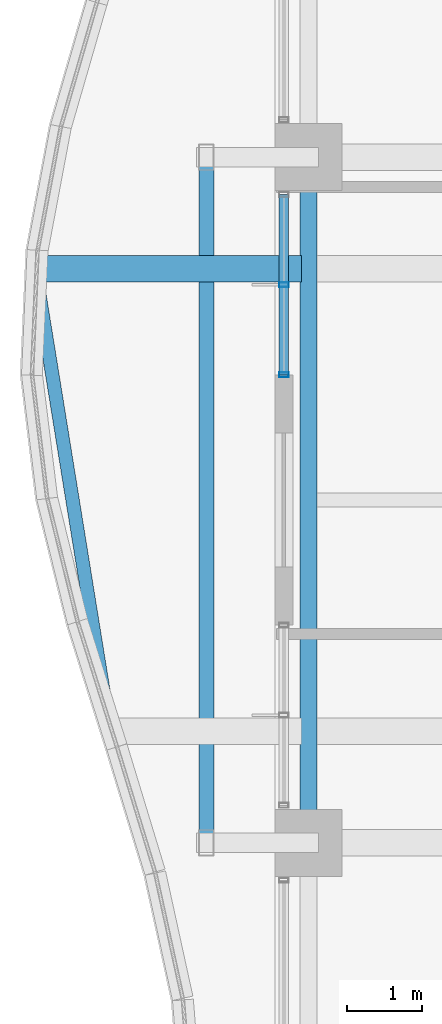
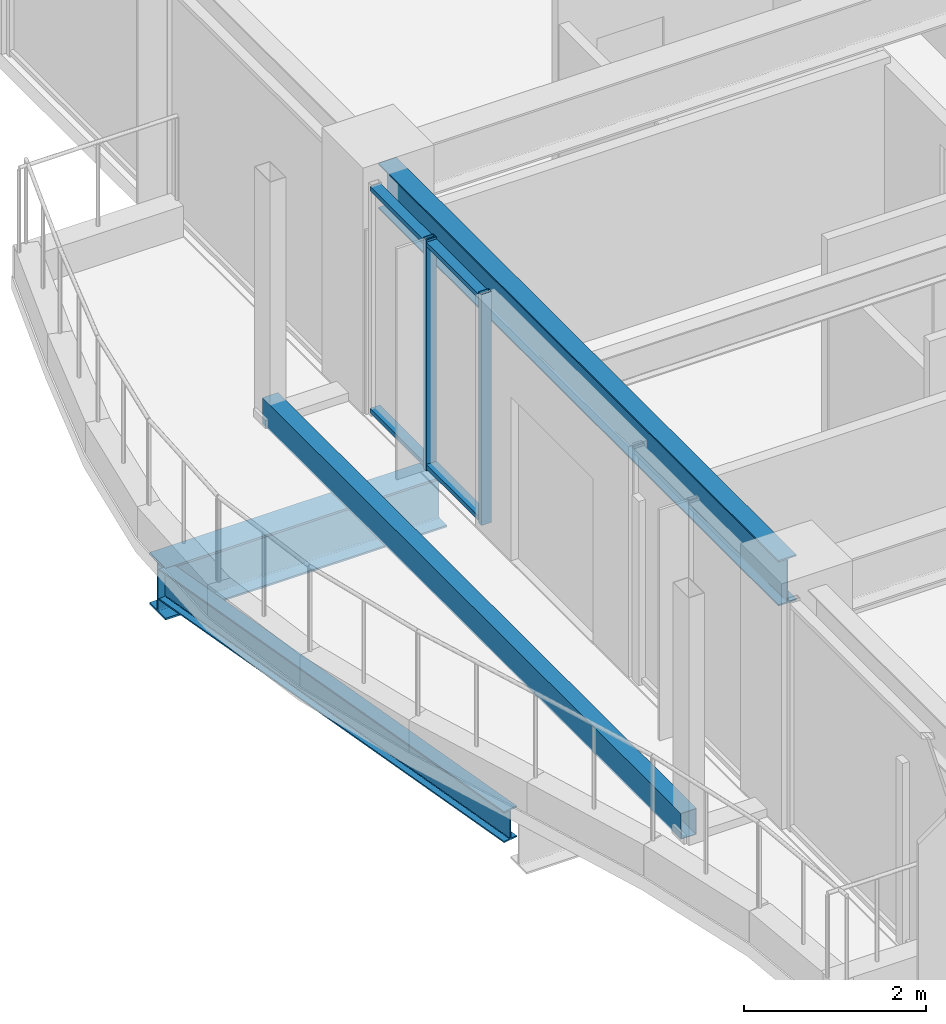
# One storey, part 10 of 37: 5 members, 3 beams, 1 element without a shape of its own.
"""IFC4 building model written with IfcOpenShell, lengths in metres."""

import ifcopenshell
import ifcopenshell.guid

model = None  # the IFC model being written
_history = None  # IfcOwnerHistory: only IFC2X3 demands one
_inside = {}  # id of a spatial element -> (the spatial element, [elements in it])
_under = {}  # id of a project, library or spatial element -> (it, [spatial elements below it])
_declared = {}  # id of a project -> (the project, [libraries it declares])
_typed = {}  # id of a type object -> (the type object, [elements of that type])
_made_of = {}  # id of a material, layer set ... -> (it, [elements and type objects made of it])


def new_model(schema):
    """Start an empty IFC model of exactly this schema.

    Asked for "IFC4X3", IfcOpenShell would pick the latest addendum, in which some entities
    have other attributes; the version numbers below select the first issue.
    IFC2X3 requires an IfcOwnerHistory on every rooted entity: one is made here for all.
    """
    global model, _history
    if schema == "IFC4X3":
        model = ifcopenshell.file(schema_version=(4, 3, 0, 0))
    else:
        model = ifcopenshell.file(schema=schema)
    _inside.clear()
    _under.clear()
    _declared.clear()
    _typed.clear()
    _made_of.clear()
    _history = None
    if model.schema == "IFC2X3":
        org = make("IfcOrganization", Name="unknown")
        user = make(
            "IfcPersonAndOrganization",
            ThePerson=make("IfcPerson", FamilyName="unknown"),
            TheOrganization=org,
        )
        app = make(
            "IfcApplication",
            ApplicationDeveloper=org,
            Version="unknown",
            ApplicationFullName="unknown",
            ApplicationIdentifier="unknown",
        )
        _history = make(
            "IfcOwnerHistory",
            OwningUser=user,
            OwningApplication=app,
            ChangeAction="ADDED",
            CreationDate=0,
        )
    return model


def make(cls, **values):
    """One entity of the class cls with the attributes given. An attribute that is None is left unset."""
    return model.create_entity(
        cls, **{name: value for name, value in values.items() if value is not None}
    )


def rooted(cls, **values):
    """An entity with a GlobalId (a new one), such as an element, a storey or a relation."""
    return make(cls, GlobalId=ifcopenshell.guid.new(), OwnerHistory=_history, **values)


def si_unit(unit_type, name, prefix=None):
    """IfcSIUnit, for example si_unit("LENGTHUNIT", "METRE", prefix="MILLI")."""
    return make("IfcSIUnit", UnitType=unit_type, Prefix=prefix, Name=name)


def assignment(units):
    """IfcUnitAssignment: the units of a project."""
    return None if units is None else make("IfcUnitAssignment", Units=units)


def point(xyz):
    """IfcCartesianPoint."""
    return None if xyz is None else make("IfcCartesianPoint", Coordinates=xyz)


def direction(xyz):
    """IfcDirection."""
    return None if xyz is None else make("IfcDirection", DirectionRatios=xyz)


def frame(location, z_axis=None, x_axis=None):
    """IfcAxis2Placement3D, a coordinate frame: its origin and axes. An axis left out is left unset."""
    return make(
        "IfcAxis2Placement3D",
        Location=point(location),
        Axis=direction(z_axis),
        RefDirection=direction(x_axis),
    )


def frame_2d(location, x_axis=None):
    """IfcAxis2Placement2D, a coordinate frame in the plane: its origin and x axis."""
    return make(
        "IfcAxis2Placement2D", Location=point(location), RefDirection=direction(x_axis)
    )


def origin():
    """The frame at (0, 0, 0) with its axes left unset."""
    return frame((0.0, 0.0, 0.0))


def origin_2d():
    """The frame at (0, 0) in the plane with its x axis left unset."""
    return frame_2d((0.0, 0.0))


def place(relative_to, where):
    """IfcLocalPlacement: puts the frame where relative to a parent placement (None: the world)."""
    return make(
        "IfcLocalPlacement", PlacementRelTo=relative_to, RelativePlacement=where
    )


def context(
    kind, dimensions, precision=None, world=None, true_north=None, identifier=None
):
    """IfcGeometricRepresentationContext, for example the 3D "Model" context."""
    return make(
        "IfcGeometricRepresentationContext",
        ContextIdentifier=identifier,
        ContextType=kind,
        CoordinateSpaceDimension=dimensions,
        Precision=precision,
        WorldCoordinateSystem=world,
        TrueNorth=true_north,
    )


def subcontext(parent, identifier, kind, view, scale=None):
    """IfcGeometricRepresentationSubContext, for example "Body" below "Model"."""
    return make(
        "IfcGeometricRepresentationSubContext",
        ContextIdentifier=identifier,
        ContextType=kind,
        ParentContext=parent,
        TargetScale=scale,
        TargetView=view,
    )


def project(units=None, contexts=None):
    """IfcProject with its units and contexts."""
    return rooted(
        "IfcProject",
        Name="project",
        RepresentationContexts=contexts,
        UnitsInContext=assignment(units),
    )


def spatial(cls, under=None, at=None, **own):
    """A site, building, storey or space (cls), placed at a placement, below another one or the project."""
    s = rooted(cls, ObjectPlacement=at, **own)
    if under is not None:
        _under.setdefault(under.id(), (under, []))[1].append(s)
    return s


def profile(cls, at=None, kind="AREA", **sizes):
    """A parametric profile (cls). Its sizes go by their IFC names, for example OverallWidth=200.0."""
    return make(cls, ProfileType=kind, Position=at, **sizes)


def hollow_rectangle(**sizes):
    """IfcRectangleHollowProfileDef."""
    return profile("IfcRectangleHollowProfileDef", **sizes)


def i_section(**sizes):
    """IfcIShapeProfileDef."""
    return profile("IfcIShapeProfileDef", **sizes)


def extrude(swept, where, along, depth):
    """IfcExtrudedAreaSolid: the profile swept, set in the frame where, extruded along a direction by depth."""
    return make(
        "IfcExtrudedAreaSolid",
        SweptArea=swept,
        Position=where,
        ExtrudedDirection=direction(along),
        Depth=depth,
    )


def shape(context_of_items, identifier, shape_type, items):
    """IfcShapeRepresentation: the items that make up one representation, for example the "Body"."""
    return make(
        "IfcShapeRepresentation",
        ContextOfItems=context_of_items,
        RepresentationIdentifier=identifier,
        RepresentationType=shape_type,
        Items=items,
    )


def material(Name=None, Category=None):
    """IfcMaterial."""
    return make("IfcMaterial", Name=Name, Category=Category)


def material_profile(
    of_material, cross_section, Name=None, Category=None, Priority=None
):
    """IfcMaterialProfile: a cross section and its material."""
    return make(
        "IfcMaterialProfile",
        Name=Name,
        Material=of_material,
        Profile=cross_section,
        Priority=Priority,
        Category=Category,
    )


def profile_set(profiles, Name=None, composite=None):
    """IfcMaterialProfileSet."""
    return make(
        "IfcMaterialProfileSet",
        Name=Name,
        MaterialProfiles=profiles,
        CompositeProfile=composite,
    )


def made_of(thing, what):
    """Note that an element or type object is made of a material, layer set ...; save() writes the relation."""
    if what is not None:
        _made_of.setdefault(what.id(), (what, []))[1].append(thing)
    return thing


def type_object(cls, material=None, **own):
    """A type object (cls), such as IfcWallType, which elements share."""
    return made_of(rooted(cls, **own), material)


def element(
    cls,
    number,
    at=None,
    inside=None,
    cuts=None,
    type_object=None,
    material=None,
    context=None,
    identifier="Body",
    shape_type=None,
    held_by="IfcProductDefinitionShape",
    body=None,
    shapes=None,
    **own,
):
    """One element of the class cls, such as IfcWall. Its Tag is "e" and its number.

    at: its placement. inside: the storey or other place that contains it. cuts: it is an
    opening in that element (IfcRelVoidsElement). A single representation is given by context,
    identifier, shape_type and body (its items); several are given by shapes. held_by: the class
    of the entity that holds the representations. save() writes the other relations.
    """
    e = rooted(cls, Tag="e%d" % number, ObjectPlacement=at, **own)
    if body is not None:
        shapes = [shape(context, identifier, shape_type, body)]
    if shapes is not None:
        e.Representation = make(held_by, Representations=shapes)
    if inside is not None:
        _inside.setdefault(inside.id(), (inside, []))[1].append(e)
    if cuts is not None:
        rooted(
            "IfcRelVoidsElement", RelatingBuildingElement=cuts, RelatedOpeningElement=e
        )
    if type_object is not None:
        _typed.setdefault(type_object.id(), (type_object, []))[1].append(e)
    return made_of(e, material)


def aggregate(whole, parts):
    """IfcRelAggregates: a whole, such as a stair, and the parts it consists of."""
    return rooted("IfcRelAggregates", RelatingObject=whole, RelatedObjects=parts)


def save(model, path):
    """Write the relations noted so far, then the file.

    IfcRelAggregates (storeys below a building ...), IfcRelContainedInSpatialStructure (elements
    in a storey), IfcRelDefinesByType, IfcRelAssociatesMaterial and IfcRelDeclares: one each for
    every whole, place, type object, material and project.
    """
    for whole, parts in _under.values():
        aggregate(whole, parts)
    for where, things in _inside.values():
        rooted(
            "IfcRelContainedInSpatialStructure",
            RelatedElements=things,
            RelatingStructure=where,
        )
    for kind, things in _typed.values():
        rooted("IfcRelDefinesByType", RelatedObjects=things, RelatingType=kind)
    for what, things in _made_of.values():
        rooted("IfcRelAssociatesMaterial", RelatedObjects=things, RelatingMaterial=what)
    for by, libraries in _declared.values():
        rooted("IfcRelDeclares", RelatingContext=by, RelatedDefinitions=libraries)
    model.write(path)


model = new_model("IFC4")

# Units and contexts
model_context = context("Model", 3, precision=1e-05, world=origin(), true_north=direction((0.0, 1.0)))
body_context = subcontext(model_context, "Body", "Model", "MODEL_VIEW")
ifc_project = project(units=[si_unit("LENGTHUNIT", "METRE"), si_unit("AREAUNIT", "SQUARE_METRE"), si_unit("VOLUMEUNIT", "CUBIC_METRE"), si_unit("PLANEANGLEUNIT", "RADIAN"), si_unit("MASSUNIT", "GRAM", prefix="KILO")], contexts=[model_context])

# Site, building, storey
site_placement = place(None, origin())
site = spatial("IfcSite", under=ifc_project, at=site_placement, CompositionType="ELEMENT")
building_placement = place(site_placement, origin())
building = spatial("IfcBuilding", under=site, at=building_placement, Name="Kolvaren Belvedere", CompositionType="ELEMENT")
storey_placement = place(building_placement, frame((0.0, 0.0, 156.89990234375)))
storey = spatial("IfcBuildingStorey", under=building, at=storey_placement, Name="L45", CompositionType="ELEMENT", Elevation=156.89990234375)

# Beams
ifc_material_1 = material(Name="Structural steel ASTM A992 Grade 50", Category="steel")
ifc_material_profile_1 = material_profile(ifc_material_1, i_section(OverallWidth=0.35498046875, OverallDepth=0.696044921875, WebThickness=0.015380859375, FlangeThickness=0.02490234375, FilletRadius=0.02197265625, at=origin_2d()), Name="W27X146")
ifc_profile_set_1 = profile_set([ifc_material_profile_1], Name="Structural steel ASTM A992 Grade 50")
beam_type_1 = type_object("IfcBeamType", Name="BM-CANT-BAL", PredefinedType="BEAM", material=ifc_profile_set_1)
beam_1_placement = place(storey_placement, frame((-18.7451171875, 3.10009765625, -0.5478515625), z_axis=(-1.0, 0.0, 0.0), x_axis=(0.0, -1.0, 0.0)))
element("IfcBeam", 1, at=beam_1_placement, inside=storey, type_object=beam_type_1, Name="L45 Planted Balcony Cantilever BAL-W-2", PredefinedType="BEAM", context=body_context, shape_type="SweptSolid", body=[
    extrude(i_section(OverallWidth=0.35498046875, OverallDepth=0.696044921875, WebThickness=0.015380859375, FlangeThickness=0.02490234375, FilletRadius=0.02197265625, at=origin_2d()), origin(), (0.0, 0.0, 1.0), 3.57080078125),
])
ifc_material_2 = material(Name="Structural steel ASTM A992 Grade 50", Category="steel")
ifc_material_profile_2 = material_profile(ifc_material_2, i_section(OverallWidth=0.180908203125, OverallDepth=0.4169921875, WebThickness=0.010986328125, FlangeThickness=0.018310546875, FilletRadius=0.013916015625, at=origin_2d()), Name="W16X57")
ifc_profile_set_2 = profile_set([ifc_material_profile_2], Name="Structural steel ASTM A992 Grade 50")
beam_type_2 = type_object("IfcBeamType", Name="BM-EDGE-W16X57", PredefinedType="BEAM", material=ifc_profile_set_2)
beam_2_placement = place(storey_placement, frame((-21.336181640625, -2.9619140625, -0.408447265625), z_axis=(-0.159567567211, 0.987187009383, 0.0), x_axis=(-0.987187009383, -0.159567567211, 0.0)))
element("IfcBeam", 2, at=beam_2_placement, inside=storey, type_object=beam_type_2, Name="L45 Balcony Tip Header Beam BAL-W", PredefinedType="BEAM", context=body_context, shape_type="SweptSolid", body=[
    extrude(i_section(OverallWidth=0.180908203125, OverallDepth=0.4169921875, WebThickness=0.010986328125, FlangeThickness=0.018310546875, FilletRadius=0.013916015625, at=origin_2d()), origin(), (0.0, 0.0, 1.0), 6.000732421875),
])
ifc_material_3 = material(Name="Structural steel ASTM A992 Grade 50", Category="steel")
ifc_material_profile_3 = material_profile(ifc_material_3, i_section(OverallWidth=0.22900390625, OverallDepth=0.612060546875, WebThickness=0.011962890625, FlangeThickness=0.01953125, FilletRadius=0.01806640625, at=origin_2d()), Name="W24X84")
ifc_profile_set_3 = profile_set([ifc_material_profile_3], Name="Structural steel ASTM A992 Grade 50")
beam_type_3 = type_object("IfcBeamType", Name="BM-SPAN-W24X84", PredefinedType="SPANDREL", material=ifc_profile_set_3)
beam_3_placement = place(storey_placement, frame((-18.64990234375, 4.3974609375, 2.794189453125), z_axis=(0.0, -1.0, 0.0), x_axis=(1.0, 0.0, 0.0)))
element("IfcBeam", 3, at=beam_3_placement, inside=storey, type_object=beam_type_3, Name="L45 Perimeter Spandrel W3-W2", PredefinedType="SPANDREL", context=body_context, shape_type="SweptSolid", body=[
    extrude(i_section(OverallWidth=0.22900390625, OverallDepth=0.612060546875, WebThickness=0.011962890625, FlangeThickness=0.01953125, FilletRadius=0.01806640625, at=origin_2d()), origin(), (0.0, 0.0, 1.0), 8.794921875),
])

# Curtain wall, members
ifc_material_4 = material(Name="Anodised pale-metal aluminium AA 6063-T6", Category="aluminium")
curtain_wall_type = type_object("IfcCurtainWallType", Name="CW-Z3-WAIST", PredefinedType="NOTDEFINED", material=ifc_material_4)
curtain_wall_placement = place(storey_placement, origin())
curtain_wall = element("IfcCurtainWall", 4, at=curtain_wall_placement, inside=storey, type_object=curtain_wall_type, Name="L45 Unitised Curtain Wall FCW-L45-W2-B1", PredefinedType="NOTDEFINED")
ifc_material_5 = material(Name="Anodised pale-metal aluminium AA 6063-T6", Category="aluminium")
ifc_material_profile_4 = material_profile(ifc_material_5, hollow_rectangle(XDim=0.06494140625, YDim=0.1298828125, WallThickness=0.00390625, at=origin_2d()), Name="ALU-MUL-130X65")
ifc_profile_set_4 = profile_set([ifc_material_profile_4], Name="Anodised pale-metal aluminium AA 6063-T6")
member_type_1 = type_object("IfcMemberType", Name="CW-MUL-130", PredefinedType="MULLION", material=ifc_profile_set_4)
member_1_placement = place(storey_placement, frame((-18.97998046875, 1.679931640625, 0.0), z_axis=(0.0, 0.0, 1.0), x_axis=(0.0, 1.0, 0.0)))
member_1 = element("IfcMember", 5, at=member_1_placement, type_object=member_type_1, Name="FCW-L45-W2-B1 Unitised Mullion 1", PredefinedType="MULLION", context=body_context, shape_type="SweptSolid", body=[
    extrude(hollow_rectangle(XDim=0.06494140625, YDim=0.1298828125, WallThickness=0.00390625, at=origin_2d()), origin(), (0.0, 0.0, 1.0), 3.10009765625),
])
member_2_placement = place(storey_placement, frame((-18.97998046875, 2.888671875, 0.0), z_axis=(0.0, 0.0, 1.0), x_axis=(0.0, 1.0, 0.0)))
member_2 = element("IfcMember", 6, at=member_2_placement, type_object=member_type_1, Name="FCW-L45-W2-B1 Unitised Mullion 2", PredefinedType="MULLION", context=body_context, shape_type="SweptSolid", body=[
    extrude(hollow_rectangle(XDim=0.06494140625, YDim=0.1298828125, WallThickness=0.00390625, at=origin_2d()), origin(), (0.0, 0.0, 1.0), 3.10009765625),
])
ifc_material_6 = material(Name="Anodised pale-metal aluminium AA 6063-T6", Category="aluminium")
ifc_material_profile_5 = material_profile(ifc_material_6, hollow_rectangle(XDim=0.06005859375, YDim=0.1298828125, WallThickness=0.00390625, at=origin_2d()), Name="ALU-TRN-130X60")
ifc_profile_set_5 = profile_set([ifc_material_profile_5], Name="Anodised pale-metal aluminium AA 6063-T6")
member_type_2 = type_object("IfcMemberType", Name="CW-TRN-130", PredefinedType="USERDEFINED", material=ifc_profile_set_5)
member_3_placement = place(storey_placement, frame((-18.97998046875, 1.679931640625, 0.06005859375), z_axis=(0.0, 1.0, 0.0), x_axis=(0.0, 0.0, 1.0)))
member_3 = element("IfcMember", 7, at=member_3_placement, type_object=member_type_2, Name="FCW-L45-W2-B1 Sill Transom", ObjectType="TRANSOM", PredefinedType="USERDEFINED", context=body_context, shape_type="SweptSolid", body=[
    extrude(hollow_rectangle(XDim=0.06005859375, YDim=0.1298828125, WallThickness=0.00390625, at=origin_2d()), origin(), (0.0, 0.0, 1.0), 2.41748046875),
])
member_4_placement = place(storey_placement, frame((-18.97998046875, 1.679931640625, 3.0400390625), z_axis=(0.0, 1.0, 0.0), x_axis=(0.0, 0.0, 1.0)))
member_4 = element("IfcMember", 8, at=member_4_placement, type_object=member_type_2, Name="FCW-L45-W2-B1 Head Transom", ObjectType="TRANSOM", PredefinedType="USERDEFINED", context=body_context, shape_type="SweptSolid", body=[
    extrude(hollow_rectangle(XDim=0.06005859375, YDim=0.1298828125, WallThickness=0.00390625, at=origin_2d()), origin(), (0.0, 0.0, 1.0), 2.41748046875),
])
aggregate(curtain_wall, [member_1, member_2, member_3, member_4])

# Member
ifc_material_7 = material(Name="Anodised pale-metal aluminium AA 6063-T6", Category="aluminium")
ifc_material_profile_6 = material_profile(ifc_material_7, hollow_rectangle(XDim=0.199951171875, YDim=0.35009765625, WallThickness=0.007568359375, at=origin_2d()), Name="ALU-PF-350X200")
ifc_profile_set_6 = profile_set([ifc_material_profile_6], Name="Anodised pale-metal aluminium AA 6063-T6")
member_type_3 = type_object("IfcMemberType", Name="PF-FRAME-350", PredefinedType="USERDEFINED", material=ifc_profile_set_6)
member_5_placement = place(storey_placement, frame((-20.02001953125, -4.60009765625, 0.130126953125), z_axis=(0.0, 1.0, 0.0), x_axis=(-1.0, 0.0, 0.0)))
element("IfcMember", 9, at=member_5_placement, inside=storey, type_object=member_type_3, Name="L45 Outboard Picture-Frame Sill W", ObjectType="PICTURE FRAME FIN", PredefinedType="USERDEFINED", context=body_context, shape_type="SweptSolid", body=[
    extrude(hollow_rectangle(XDim=0.199951171875, YDim=0.35009765625, WallThickness=0.007568359375, at=origin_2d()), origin(), (0.0, 0.0, 1.0), 9.2001953125),
])

save(model, "model.ifc")
